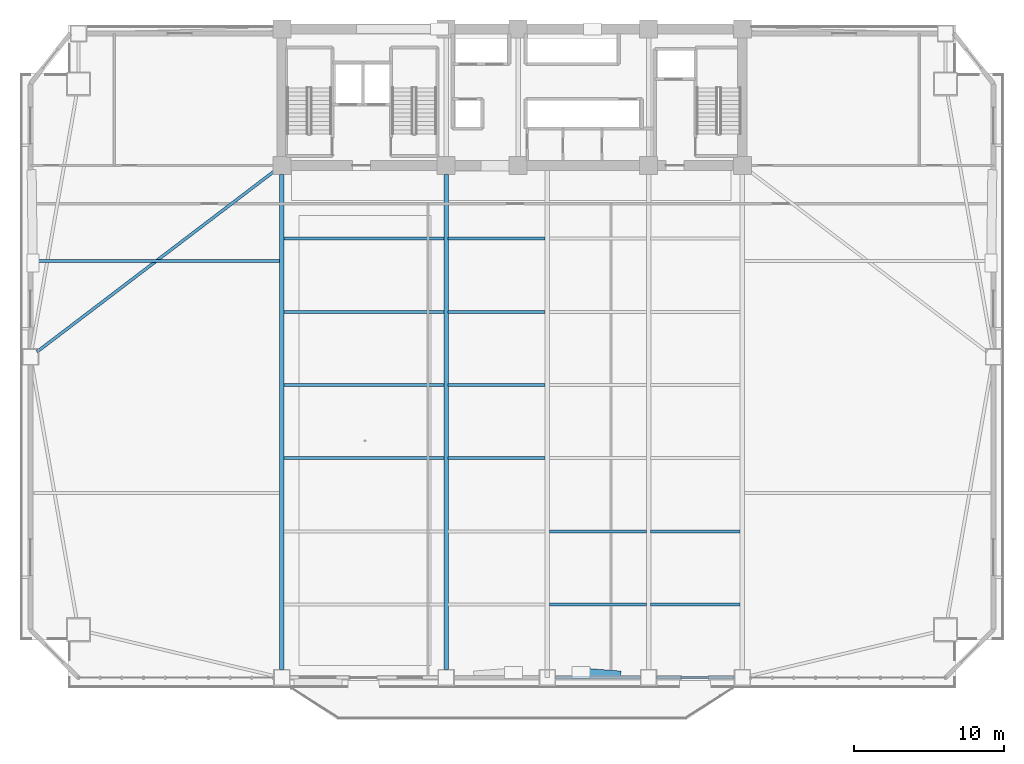
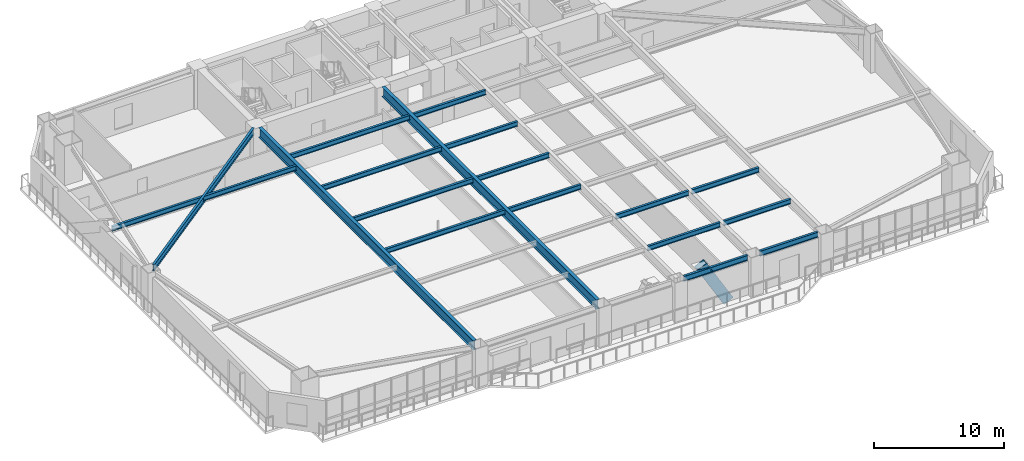
# One storey, part 5 of 17: 18 beams, 1 member.
"""IFC4 building model written with IfcOpenShell, lengths in metres."""

from ifc_helpers import new_model, si_unit, direction, frame, origin, origin_2d, place, context, subcontext, project, spatial, hollow_rectangle, i_section, extrude, source, transform, mapped, material, material_profile, profile_set, type_object, element, save


model = new_model("IFC4")

# Units and contexts
model_context = context("Model", 3, precision=1e-05, world=origin(), true_north=direction((0.0, 1.0)))
body_context = subcontext(model_context, "Body", "Model", "MODEL_VIEW")
ifc_project = project(units=[si_unit("LENGTHUNIT", "METRE"), si_unit("AREAUNIT", "SQUARE_METRE"), si_unit("VOLUMEUNIT", "CUBIC_METRE"), si_unit("PLANEANGLEUNIT", "RADIAN"), si_unit("MASSUNIT", "GRAM", prefix="KILO")], contexts=[model_context])

# Site, building, storey
site_placement = place(None, origin())
site = spatial("IfcSite", under=ifc_project, at=site_placement, CompositionType="ELEMENT")
building_placement = place(site_placement, origin())
building = spatial("IfcBuilding", under=site, at=building_placement, Name="Giltprow Tower", CompositionType="ELEMENT")
storey_placement = place(building_placement, frame((0.0, 0.0, 29.300048828125)))
storey = spatial("IfcBuildingStorey", under=building, at=storey_placement, Name="L07", CompositionType="ELEMENT", Elevation=29.300048828125)

# Beams
ifc_material_1 = material(Name="Structural steel Q355B", Category="steel")
ifc_material_profile_1 = material_profile(ifc_material_1, i_section(OverallWidth=0.199951171875, OverallDepth=0.5, WebThickness=0.010009765625, FlangeThickness=0.01611328125, at=origin_2d()), Name="HN 500x200x10x16")
ifc_profile_set_1 = profile_set([ifc_material_profile_1], Name="Structural steel Q355B")
beam_type_1 = type_object("IfcBeamType", Name="BM-SPAN-HN500", PredefinedType="SPANDREL", material=ifc_profile_set_1)
shared_shape_1 = source(origin(), body_context, "Body", "SweptSolid", [
    extrude(i_section(OverallWidth=0.199951171875, OverallDepth=0.5, WebThickness=0.010009765625, FlangeThickness=0.01611328125, at=origin_2d()), origin(), (0.0, 0.0, 1.0), 5.679931640625),
])
beam_1_placement = place(storey_placement, frame((38.0849609375, 3.300048828125, 3.429931640625), z_axis=(1.0, 0.0, 0.0), x_axis=(0.0, 1.0, 0.0)))
element("IfcBeam", 1, at=beam_1_placement, inside=storey, type_object=beam_type_1, Name="L07 Perimeter Spandrel Beam S_MID-S3", PredefinedType="SPANDREL", context=body_context, shape_type="MappedRepresentation", body=[
    mapped(shared_shape_1, transform((0.0, 0.0, 0.0), x_axis=(1.0, 0.0, 0.0), y_axis=(0.0, 1.0, 0.0), z_axis=(0.0, 0.0, 1.0), scale=1.0)),
])
shared_shape_2 = source(origin(), body_context, "Body", "SweptSolid", [
    extrude(i_section(OverallWidth=0.199951171875, OverallDepth=0.5, WebThickness=0.010009765625, FlangeThickness=0.01611328125, at=origin_2d()), origin(), (0.0, 0.0, 1.0), 5.179931640625),
])
beam_2_placement = place(storey_placement, frame((44.8349609375, 3.300048828125, 3.429931640625), z_axis=(1.0, 0.0, 0.0), x_axis=(0.0, 1.0, 0.0)))
element("IfcBeam", 2, at=beam_2_placement, inside=storey, type_object=beam_type_1, Name="L07 Perimeter Spandrel Beam S3-S4", PredefinedType="SPANDREL", context=body_context, shape_type="MappedRepresentation", body=[
    mapped(shared_shape_2, transform((0.0, 0.0, 0.0), x_axis=(1.0, 0.0, 0.0), y_axis=(0.0, 1.0, 0.0), z_axis=(0.0, 0.0, 1.0), scale=1.0)),
])
ifc_material_profile_2 = material_profile(ifc_material_1, i_section(OverallWidth=0.300048828125, OverallDepth=0.89990234375, WebThickness=0.01611328125, FlangeThickness=0.028076171875, at=origin_2d()), Name="HN 900x300x16x28")
ifc_profile_set_2 = profile_set([ifc_material_profile_2], Name="Structural steel Q355B")
beam_type_2 = type_object("IfcBeamType", Name="BM-GIRD-HN900", PredefinedType="BEAM", material=ifc_profile_set_2)
shared_shape_3 = source(origin(), body_context, "Body", "SweptSolid", [
    extrude(i_section(OverallWidth=0.300048828125, OverallDepth=0.89990234375, WebThickness=0.01611328125, FlangeThickness=0.028076171875, at=origin_2d()), origin(), (0.0, 0.0, 1.0), 33.030029296875),
])
for number, where, z_axis, x_axis, name in (
    (3, (19.85009765625, 3.8349609375, 3.22998046875), (0.0, 1.0, 0.0), (-1.0, 0.0, 0.0), "L07 Primary Lease Girder S1"),
    (4, (30.800048828125, 3.8349609375, 3.22998046875), (0.0, 1.0, 0.0), (-1.0, 0.0, 0.0), "L07 Primary Lease Girder S2"),
):
    element("IfcBeam", number, at=place(storey_placement, frame(where, z_axis=z_axis, x_axis=x_axis)), inside=storey, type_object=beam_type_2, Name=name, PredefinedType="BEAM", context=body_context, shape_type="MappedRepresentation", body=[
        mapped(shared_shape_3, transform((0.0, 0.0, 0.0), x_axis=(1.0, 0.0, 0.0), y_axis=(0.0, 1.0, 0.0), z_axis=(0.0, 0.0, 1.0), scale=1.0)),
    ])
ifc_material_profile_3 = material_profile(ifc_material_1, i_section(OverallWidth=0.199951171875, OverallDepth=0.60009765625, WebThickness=0.010986328125, FlangeThickness=0.01708984375, at=origin_2d()), Name="HN 600x200x11x17")
ifc_profile_set_3 = profile_set([ifc_material_profile_3], Name="Structural steel Q355B")
beam_type_3 = type_object("IfcBeamType", Name="BM-GIRD-HN600", PredefinedType="BEAM", material=ifc_profile_set_3)
shared_shape_4 = source(origin(), body_context, "Body", "SweptSolid", [
    extrude(i_section(OverallWidth=0.199951171875, OverallDepth=0.60009765625, WebThickness=0.010986328125, FlangeThickness=0.01708984375, at=origin_2d()), origin(), (0.0, 0.0, 1.0), 19.930908203125),
])
beam_3_placement = place(storey_placement, frame((3.52587890625, 25.02392578125, 3.3798828125), z_axis=(0.795700739064, 0.605689965124, 0.0), x_axis=(-0.605689965124, 0.795700739064, 0.0)))
element("IfcBeam", 5, at=beam_3_placement, inside=storey, type_object=beam_type_3, Name="L07 West Wing Primary Girder", PredefinedType="BEAM", context=body_context, shape_type="MappedRepresentation", body=[
    mapped(shared_shape_4, transform((0.0, 0.0, 0.0), x_axis=(1.0, 0.0, 0.0), y_axis=(0.0, 1.0, 0.0), z_axis=(0.0, 0.0, 1.0), scale=1.0)),
])
ifc_material_profile_4 = material_profile(ifc_material_1, i_section(OverallWidth=0.199951171875, OverallDepth=0.449951171875, WebThickness=0.009033203125, FlangeThickness=0.013916015625, at=origin_2d()), Name="HN 450x200x9x14")
ifc_profile_set_4 = profile_set([ifc_material_profile_4], Name="Structural steel Q355B")
beam_type_4 = type_object("IfcBeamType", Name="BM-JOIST-HN450", PredefinedType="JOIST", material=ifc_profile_set_4)
shared_shape_5 = source(origin(), body_context, "Body", "SweptSolid", [
    extrude(i_section(OverallWidth=0.199951171875, OverallDepth=0.449951171875, WebThickness=0.009033203125, FlangeThickness=0.013916015625, at=origin_2d()), origin(), (0.0, 0.0, 1.0), 10.659912109375),
])
for number, where, z_axis, x_axis, name in (
    (6, (19.9951171875, 17.93603515625, 3.454833984375), (1.0, 0.0, 0.0), (0.0, 1.0, 0.0), "L07 Composite Floor Joist 3-1"),
    (7, (19.9951171875, 22.81396484375, 3.454833984375), (1.0, 0.0, 0.0), (0.0, 1.0, 0.0), "L07 Composite Floor Joist 4-1"),
    (8, (19.9951171875, 27.693115234375, 3.454833984375), (1.0, 0.0, 0.0), (0.0, 1.0, 0.0), "L07 Composite Floor Joist 5-1"),
    (9, (19.9951171875, 32.571044921875, 3.454833984375), (1.0, 0.0, 0.0), (0.0, 1.0, 0.0), "L07 Composite Floor Joist 6-1"),
):
    element("IfcBeam", number, at=place(storey_placement, frame(where, z_axis=z_axis, x_axis=x_axis)), inside=storey, type_object=beam_type_4, Name=name, PredefinedType="JOIST", context=body_context, shape_type="MappedRepresentation", body=[
        mapped(shared_shape_5, transform((0.0, 0.0, 0.0), x_axis=(1.0, 0.0, 0.0), y_axis=(0.0, 1.0, 0.0), z_axis=(0.0, 0.0, 1.0), scale=1.0)),
    ])
shared_shape_6 = source(origin(), body_context, "Body", "SweptSolid", [
    extrude(i_section(OverallWidth=0.199951171875, OverallDepth=0.449951171875, WebThickness=0.009033203125, FlangeThickness=0.013916015625, at=origin_2d()), origin(), (0.0, 0.0, 1.0), 6.4599609375),
])
for number, where, z_axis, x_axis, name in (
    (10, (37.695068359375, 8.178955078125, 3.454833984375), (1.0, 0.0, 0.0), (0.0, 1.0, 0.0), "L07 Composite Floor Joist 1-3"),
    (11, (37.695068359375, 13.056884765625, 3.454833984375), (1.0, 0.0, 0.0), (0.0, 1.0, 0.0), "L07 Composite Floor Joist 2-3"),
    (12, (30.945068359375, 17.93603515625, 3.454833984375), (1.0, 0.0, 0.0), (0.0, 1.0, 0.0), "L07 Composite Floor Joist 3-2"),
    (13, (30.945068359375, 22.81396484375, 3.454833984375), (1.0, 0.0, 0.0), (0.0, 1.0, 0.0), "L07 Composite Floor Joist 4-2"),
    (14, (30.945068359375, 27.693115234375, 3.454833984375), (1.0, 0.0, 0.0), (0.0, 1.0, 0.0), "L07 Composite Floor Joist 5-2"),
    (15, (30.945068359375, 32.571044921875, 3.454833984375), (1.0, 0.0, 0.0), (0.0, 1.0, 0.0), "L07 Composite Floor Joist 6-2"),
):
    element("IfcBeam", number, at=place(storey_placement, frame(where, z_axis=z_axis, x_axis=x_axis)), inside=storey, type_object=beam_type_4, Name=name, PredefinedType="JOIST", context=body_context, shape_type="MappedRepresentation", body=[
        mapped(shared_shape_6, transform((0.0, 0.0, 0.0), x_axis=(1.0, 0.0, 0.0), y_axis=(0.0, 1.0, 0.0), z_axis=(0.0, 0.0, 1.0), scale=1.0)),
    ])
shared_shape_7 = source(origin(), body_context, "Body", "SweptSolid", [
    extrude(i_section(OverallWidth=0.199951171875, OverallDepth=0.449951171875, WebThickness=0.009033203125, FlangeThickness=0.013916015625, at=origin_2d()), origin(), (0.0, 0.0, 1.0), 5.9599609375),
])
for number, where, z_axis, x_axis, name in (
    (16, (44.445068359375, 8.178955078125, 3.454833984375), (1.0, 0.0, 0.0), (0.0, 1.0, 0.0), "L07 Composite Floor Joist 1-4"),
    (17, (44.445068359375, 13.056884765625, 3.454833984375), (1.0, 0.0, 0.0), (0.0, 1.0, 0.0), "L07 Composite Floor Joist 2-4"),
):
    element("IfcBeam", number, at=place(storey_placement, frame(where, z_axis=z_axis, x_axis=x_axis)), inside=storey, type_object=beam_type_4, Name=name, PredefinedType="JOIST", context=body_context, shape_type="MappedRepresentation", body=[
        mapped(shared_shape_7, transform((0.0, 0.0, 0.0), x_axis=(1.0, 0.0, 0.0), y_axis=(0.0, 1.0, 0.0), z_axis=(0.0, 0.0, 1.0), scale=1.0)),
    ])
shared_shape_8 = source(origin(), body_context, "Body", "SweptSolid", [
    extrude(i_section(OverallWidth=0.199951171875, OverallDepth=0.449951171875, WebThickness=0.009033203125, FlangeThickness=0.013916015625, at=origin_2d()), origin(), (0.0, 0.0, 1.0), 16.385009765625),
])
beam_4_placement = place(storey_placement, frame((3.320068359375, 31.074951171875, 3.454833984375), z_axis=(1.0, 0.0, 0.0), x_axis=(0.0, 1.0, 0.0)))
element("IfcBeam", 18, at=beam_4_placement, inside=storey, type_object=beam_type_4, Name="L07 West Wing Floor Joist 2", PredefinedType="JOIST", context=body_context, shape_type="MappedRepresentation", body=[
    mapped(shared_shape_8, transform((0.0, 0.0, 0.0), x_axis=(1.0, 0.0, 0.0), y_axis=(0.0, 1.0, 0.0), z_axis=(0.0, 0.0, 1.0), scale=1.0)),
])

# Member
ifc_material_2 = material(Name="Structural steel Q420GJC", Category="steel")
ifc_material_profile_5 = material_profile(ifc_material_2, hollow_rectangle(XDim=0.60009765625, YDim=0.89990234375, WallThickness=0.0400390625, at=origin_2d()), Name="RHS 900x600x40")
ifc_profile_set_5 = profile_set([ifc_material_profile_5], Name="Structural steel Q420GJC")
member_type = type_object("IfcMemberType", Name="MBR-MEGA-RHS900", PredefinedType="BRACE", material=ifc_profile_set_5)
shared_shape_9 = source(origin(), body_context, "Body", "SweptSolid", [
    extrude(hollow_rectangle(XDim=0.60009765625, YDim=0.89990234375, WallThickness=0.0400390625, at=origin_2d()), origin(), (0.0, 0.0, 1.0), 4.505859375),
])
member_placement = place(storey_placement, frame((42.050048828125, 3.47607421875, 0.0), z_axis=(-0.49935563087, 0.038795424447, 0.865528086754), x_axis=(-0.077457561353, -0.996995650035, 0.0)))
element("IfcMember", 19, at=member_placement, inside=storey, type_object=member_type, Name="L07 Chevron Mega-Brace S-R", PredefinedType="BRACE", context=body_context, shape_type="MappedRepresentation", body=[
    mapped(shared_shape_9, transform((0.0, 0.0, 0.0), x_axis=(1.0, 0.0, 0.0), y_axis=(0.0, 1.0, 0.0), z_axis=(0.0, 0.0, 1.0), scale=1.0)),
])

save(model, "model.ifc")
